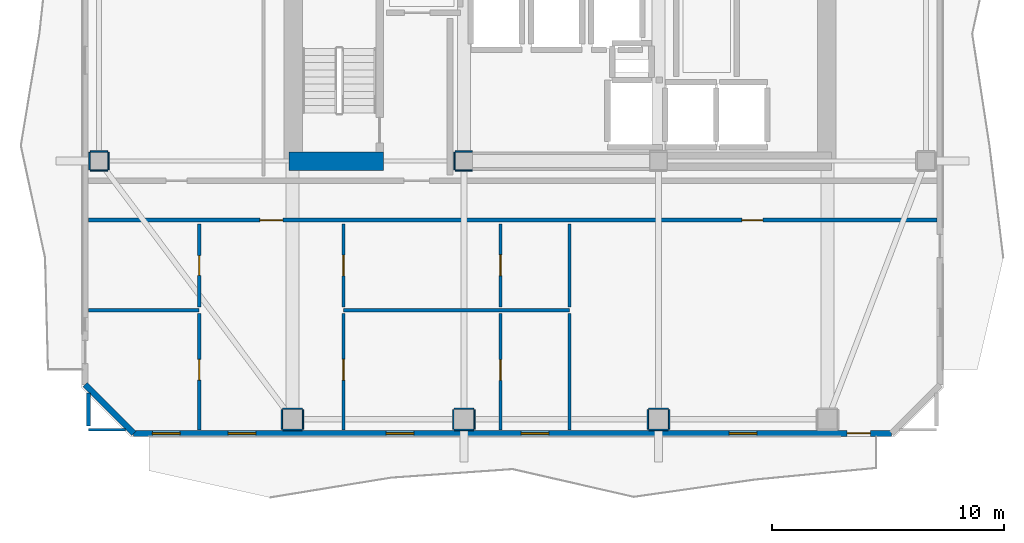
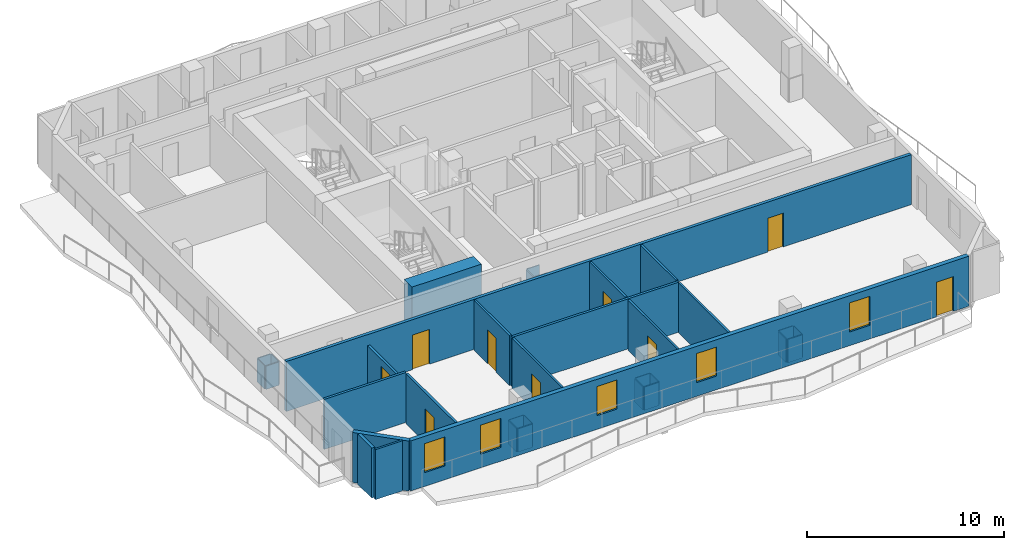
# One storey, part 2 of 10: 35 walls, 9 doors, 5 windows, 14 openings.
"""IFC4 building model written with IfcOpenShell, lengths in metres."""

from ifc_helpers import new_model, si_unit, direction, frame, frame_2d, origin, place, context, subcontext, project, spatial, rectangle, extrude, material, layer, layer_set, type_object, element, fill, save


model = new_model("IFC4")

# Units and contexts
model_context = context("Model", 3, precision=1e-05, world=origin(), true_north=direction((0.0, 1.0)))
body_context = subcontext(model_context, "Body", "Model", "MODEL_VIEW")
ifc_project = project(units=[si_unit("LENGTHUNIT", "METRE"), si_unit("AREAUNIT", "SQUARE_METRE"), si_unit("VOLUMEUNIT", "CUBIC_METRE"), si_unit("PLANEANGLEUNIT", "RADIAN"), si_unit("MASSUNIT", "GRAM", prefix="KILO")], contexts=[model_context])

# Site, building, storey
site_placement = place(None, origin())
site = spatial("IfcSite", under=ifc_project, at=site_placement, CompositionType="ELEMENT")
building_placement = place(site_placement, origin())
building = spatial("IfcBuilding", under=site, at=building_placement, Name="Solanera Arch Residences", CompositionType="ELEMENT")
storey_placement = place(building_placement, frame((0.0, 0.0, 203.43994140625)))
storey = spatial("IfcBuildingStorey", under=building, at=storey_placement, Name="L59", CompositionType="ELEMENT", Elevation=203.43994140625)

# Walls
ifc_material_1 = material(Name="Fire-Rated Gypsum Stud Partition", Category="gypsum")
ifc_layer_1 = layer(ifc_material_1, 0.06005859375)
ifc_layer_set_1 = layer_set([ifc_layer_1], Name="Fire-Rated Gypsum Stud Partition")
wall_type_1 = type_object("IfcWallType", Name="Column Acoustic Furring Wall 60", PredefinedType="PARTITIONING", material=ifc_layer_set_1)
for number, where, z_axis, x_axis, name in (
    (1, (20.425048828125, 21.593017578125, 0.0), (0.0, 0.0, 1.0), (1.0, 0.0, 0.0), "L59 Column Furring 1S"),
    (2, (20.425048828125, 22.406982421875, 0.0), (0.0, 0.0, 1.0), (1.0, 0.0, 0.0), "L59 Column Furring 1N"),
):
    element("IfcWall", number, at=place(storey_placement, frame(where, z_axis=z_axis, x_axis=x_axis)), inside=storey, type_object=wall_type_1, Name=name, PredefinedType="PARTITIONING", context=body_context, shape_type="SweptSolid", body=[
        extrude(rectangle(XDim=0.741943359375, YDim=0.06005859375, at=frame_2d((0.37109375, 0.0))), origin(), (0.0, 0.0, 1.0), 1.449951171875),
    ])
wall_1_placement = place(storey_placement, frame((20.39306640625, 21.625, 0.0), z_axis=(0.0, 0.0, 1.0), x_axis=(0.0, 1.0, 0.0)))
element("IfcWall", 3, at=wall_1_placement, inside=storey, type_object=wall_type_1, Name="L59 Column Furring 1W", PredefinedType="PARTITIONING", context=body_context, shape_type="SweptSolid", body=[
    extrude(rectangle(XDim=0.75, YDim=0.06005859375, at=frame_2d((0.375, 0.0))), origin(), (0.0, 0.0, 1.0), 1.449951171875),
])
for number, where, z_axis, x_axis, name in (
    (4, (12.97509765625, 10.39306640625, 0.0), (0.0, 0.0, 1.0), (1.0, 0.0, 0.0), "L59 Column Furring 9S"),
    (5, (12.97509765625, 11.306884765625, 0.0), (0.0, 0.0, 1.0), (1.0, 0.0, 0.0), "L59 Column Furring 9N"),
    (6, (12.943115234375, 10.425048828125, 0.0), (0.0, 0.0, 1.0), (0.0, 1.0, 0.0), "L59 Column Furring 9W"),
    (7, (13.85693359375, 10.425048828125, 0.0), (0.0, 0.0, 1.0), (0.0, 1.0, 0.0), "L59 Column Furring 9E"),
):
    element("IfcWall", number, at=place(storey_placement, frame(where, z_axis=z_axis, x_axis=x_axis)), inside=storey, type_object=wall_type_1, Name=name, PredefinedType="PARTITIONING", context=body_context, shape_type="SweptSolid", body=[
        extrude(rectangle(XDim=0.849853515625, YDim=0.06005859375, at=frame_2d((0.4248046875, 0.0))), origin(), (0.0, 0.0, 1.0), 1.449951171875),
    ])
for number, where, z_axis, x_axis, name in (
    (8, (20.375, 10.39306640625, 0.0), (0.0, 0.0, 1.0), (1.0, 0.0, 0.0), "L59 Column Furring 11S"),
    (9, (20.375, 11.306884765625, 0.0), (0.0, 0.0, 1.0), (1.0, 0.0, 0.0), "L59 Column Furring 11N"),
):
    element("IfcWall", number, at=place(storey_placement, frame(where, z_axis=z_axis, x_axis=x_axis)), inside=storey, type_object=wall_type_1, Name=name, PredefinedType="PARTITIONING", context=body_context, shape_type="SweptSolid", body=[
        extrude(rectangle(XDim=0.85009765625, YDim=0.06005859375, at=frame_2d((0.425048828125, 0.0))), origin(), (0.0, 0.0, 1.0), 1.449951171875),
    ])
for number, where, z_axis, x_axis, name in (
    (10, (20.343017578125, 10.425048828125, 0.0), (0.0, 0.0, 1.0), (0.0, 1.0, 0.0), "L59 Column Furring 11W"),
    (11, (21.257080078125, 10.425048828125, 0.0), (0.0, 0.0, 1.0), (0.0, 1.0, 0.0), "L59 Column Furring 11E"),
):
    element("IfcWall", number, at=place(storey_placement, frame(where, z_axis=z_axis, x_axis=x_axis)), inside=storey, type_object=wall_type_1, Name=name, PredefinedType="PARTITIONING", context=body_context, shape_type="SweptSolid", body=[
        extrude(rectangle(XDim=0.849853515625, YDim=0.06005859375, at=frame_2d((0.4248046875, 0.0))), origin(), (0.0, 0.0, 1.0), 1.449951171875),
    ])
for number, where, z_axis, x_axis, name in (
    (12, (28.77490234375, 10.39306640625, 0.0), (0.0, 0.0, 1.0), (1.0, 0.0, 0.0), "L59 Column Furring 13S"),
    (13, (28.77490234375, 11.306884765625, 0.0), (0.0, 0.0, 1.0), (1.0, 0.0, 0.0), "L59 Column Furring 13N"),
):
    element("IfcWall", number, at=place(storey_placement, frame(where, z_axis=z_axis, x_axis=x_axis)), inside=storey, type_object=wall_type_1, Name=name, PredefinedType="PARTITIONING", context=body_context, shape_type="SweptSolid", body=[
        extrude(rectangle(XDim=0.85009765625, YDim=0.06005859375, at=frame_2d((0.425048828125, 0.0))), origin(), (0.0, 0.0, 1.0), 1.449951171875),
    ])
for number, where, z_axis, x_axis, name in (
    (14, (28.742919921875, 10.425048828125, 0.0), (0.0, 0.0, 1.0), (0.0, 1.0, 0.0), "L59 Column Furring 13W"),
    (15, (29.656982421875, 10.425048828125, 0.0), (0.0, 0.0, 1.0), (0.0, 1.0, 0.0), "L59 Column Furring 13E"),
):
    element("IfcWall", number, at=place(storey_placement, frame(where, z_axis=z_axis, x_axis=x_axis)), inside=storey, type_object=wall_type_1, Name=name, PredefinedType="PARTITIONING", context=body_context, shape_type="SweptSolid", body=[
        extrude(rectangle(XDim=0.849853515625, YDim=0.06005859375, at=frame_2d((0.4248046875, 0.0))), origin(), (0.0, 0.0, 1.0), 1.449951171875),
    ])
for number, where, z_axis, x_axis, name in (
    (16, (4.675048828125, 21.593017578125, 0.0), (0.0, 0.0, 1.0), (1.0, 0.0, 0.0), "L59 Column Furring 17S"),
    (17, (4.675048828125, 22.406982421875, 0.0), (0.0, 0.0, 1.0), (1.0, 0.0, 0.0), "L59 Column Furring 17N"),
    (18, (4.64306640625, 21.625, 0.0), (0.0, 0.0, 1.0), (0.0, 1.0, 0.0), "L59 Column Furring 17W"),
    (19, (5.45703125, 21.625, 0.0), (0.0, 0.0, 1.0), (0.0, 1.0, 0.0), "L59 Column Furring 17E"),
):
    element("IfcWall", number, at=place(storey_placement, frame(where, z_axis=z_axis, x_axis=x_axis)), inside=storey, type_object=wall_type_1, Name=name, PredefinedType="PARTITIONING", context=body_context, shape_type="SweptSolid", body=[
        extrude(rectangle(XDim=0.75, YDim=0.06005859375, at=frame_2d((0.375, 0.0))), origin(), (0.0, 0.0, 1.0), 1.449951171875),
    ])
ifc_material_2 = material(Name="Concrete C40/50 (f'c = 45 MPa)", Category="concrete")
ifc_layer_2 = layer(ifc_material_2, 0.800048828125)
ifc_layer_set_2 = layer_set([ifc_layer_2], Name="Concrete C40/50 (f'c = 45 MPa)")
wall_type_2 = type_object("IfcWallType", Name="Core Shear Wall CW-800", PredefinedType="SHEAR", material=ifc_layer_set_2)
wall_2_placement = place(storey_placement, frame((13.239990234375, 22.0, 0.0), z_axis=(0.0, 0.0, 1.0), x_axis=(1.0, 0.0, 0.0)))
element("IfcWall", 20, at=wall_2_placement, inside=storey, type_object=wall_type_2, Name="L59 South-West Core Shear Wall", PredefinedType="SHEAR", context=body_context, shape_type="SweptSolid", body=[
    extrude(rectangle(XDim=4.080078125, YDim=0.800048828125, at=frame_2d((2.0400390625, 0.0))), origin(), (0.0, 0.0, 1.0), 3.320068359375),
])

# Wall, openings, doors
ifc_material_3 = material(Name="Autoclaved Aerated Concrete Blockwork", Category="masonry")
ifc_layer_3 = layer(ifc_material_3, 0.179931640625)
ifc_layer_set_3 = layer_set([ifc_layer_3], Name="Autoclaved Aerated Concrete Blockwork")
wall_type_3 = type_object("IfcWallType", Name="Corridor Fire Partition 180", PredefinedType="PARTITIONING", material=ifc_layer_set_3)
wall_3_placement = place(storey_placement, frame((4.5869140625, 19.449951171875, 0.0), z_axis=(0.0, 0.0, 1.0), x_axis=(1.0, 0.0, 0.0)))
wall_3 = element("IfcWall", 21, at=wall_3_placement, inside=storey, type_object=wall_type_3, Name="L59 Interior Partition H7", PredefinedType="PARTITIONING", context=body_context, shape_type="SweptSolid", body=[
    extrude(rectangle(XDim=36.6259765625, YDim=0.179931640625, at=frame_2d((18.31298828125, 0.0))), origin(), (0.0, 0.0, 1.0), 3.10009765625),
])
opening_1_placement = place(wall_3_placement, frame((7.402099609375, 0.0, 0.0)))
opening_1 = element("IfcOpeningElement", 22, at=opening_1_placement, cuts=wall_3, Name="Opening DI-01", PredefinedType="OPENING", context=body_context, shape_type="SweptSolid", body=[
    extrude(rectangle(XDim=1.0, YDim=2.14990234375, at=frame_2d((0.5, 1.074951171875))), frame((0.0, 0.10009765625, 0.0), z_axis=(0.0, -1.0, 0.0), x_axis=(1.0, 0.0, 0.0)), (0.0, 0.0, 1.0), 0.1999),
])
opening_2_placement = place(wall_3_placement, frame((28.218017578125, 0.0, 0.0)))
opening_2 = element("IfcOpeningElement", 23, at=opening_2_placement, cuts=wall_3, Name="Opening DI-02", PredefinedType="OPENING", context=body_context, shape_type="SweptSolid", body=[
    extrude(rectangle(XDim=0.89990234375, YDim=2.10009765625, at=frame_2d((0.449951171875, 1.050048828125))), frame((0.0, 0.10009765625, 0.0), z_axis=(0.0, -1.0, 0.0), x_axis=(1.0, 0.0, 0.0)), (0.0, 0.0, 1.0), 0.1999),
])
ifc_material_4 = material(Name="Fire-Rated Architectural Hardwood", Category="wood")
door_type_1 = type_object("IfcDoorType", Name="Suite Room Swing Door DI-02", OperationType="NOTDEFINED", PredefinedType="DOOR", material=ifc_material_4)
door_1_placement = place(opening_2_placement, origin())
door_1 = element("IfcDoor", 24, at=door_1_placement, inside=storey, type_object=door_type_1, Name="DR-L59-IN-021", OperationType="SINGLE_SWING_RIGHT", OverallHeight=2.10009765625, OverallWidth=0.89990234375, PredefinedType="DOOR", context=body_context, shape_type="SweptSolid", body=[
    extrude(rectangle(XDim=0.89990234375, YDim=2.10009765625, at=frame_2d((0.449951171875, 1.050048828125))), frame((0.0, 0.02490234375, 0.0), z_axis=(0.0, -1.0, 0.0), x_axis=(1.0, 0.0, 0.0)), (0.0, 0.0, 1.0), 0.050048828125),
])
fill(opening_2, door_1)
ifc_material_5 = material(Name="Fire-Rated Architectural Hardwood", Category="wood")
door_type_2 = type_object("IfcDoorType", Name="Unit Entrance Fire Door DI-01", OperationType="NOTDEFINED", PredefinedType="DOOR", material=ifc_material_5)
door_2_placement = place(opening_1_placement, origin())
door_2 = element("IfcDoor", 25, at=door_2_placement, inside=storey, type_object=door_type_2, Name="DR-L59-IN-014", OperationType="SINGLE_SWING_LEFT", OverallHeight=2.14990234375, OverallWidth=1.0, PredefinedType="DOOR", context=body_context, shape_type="SweptSolid", body=[
    extrude(rectangle(XDim=1.0, YDim=2.14990234375, at=frame_2d((0.5, 1.074951171875))), frame((0.0, 0.02490234375, 0.0), z_axis=(0.0, -1.0, 0.0), x_axis=(1.0, 0.0, 0.0)), (0.0, 0.0, 1.0), 0.050048828125),
])
fill(opening_1, door_2)

# Wall
wall_4_placement = place(storey_placement, frame((4.60009765625, 10.55810546875, 0.0), z_axis=(0.0, 0.0, 1.0), x_axis=(0.0, 1.0, 0.0)))
element("IfcWall", 26, at=wall_4_placement, inside=storey, type_object=wall_type_3, Name="L59 Interior Partition V8 1", PredefinedType="PARTITIONING", context=body_context, shape_type="SweptSolid", body=[
    extrude(rectangle(XDim=1.430908203125, YDim=0.179931640625, at=frame_2d((0.71533203125, 0.0))), origin(), (0.0, 0.0, 1.0), 3.10009765625),
])

# Wall, openings, door, windows
ifc_material_6 = material(Name="Precast Concrete C35/45", Category="concrete")
ifc_layer_4 = layer(ifc_material_6, 0.260009765625)
ifc_layer_set_4 = layer_set([ifc_layer_4], Name="Precast Concrete C35/45")
wall_type_4 = type_object("IfcWallType", Name="Exterior Wall Precast Masonry-Frame 260", PredefinedType="STANDARD", material=ifc_layer_set_4)
wall_5_placement = place(storey_placement, frame((39.2548828125, 10.2451171875, 0.0), z_axis=(0.0, 0.0, 1.0), x_axis=(-1.0, 0.0, 0.0)))
wall_5 = element("IfcWall", 27, at=wall_5_placement, inside=storey, type_object=wall_type_4, Name="L59 Tower Exterior Precast Masonry-Frame Wall S", PredefinedType="STANDARD", context=body_context, shape_type="SweptSolid", body=[
    extrude(rectangle(XDim=32.7099609375, YDim=0.260009765625, at=frame_2d((16.35498046875, 0.0))), origin(), (0.0, 0.0, 1.0), 3.10009765625),
])
opening_3_placement = place(wall_5_placement, frame((0.906982421875, 0.0, 0.0)))
opening_3 = element("IfcOpeningElement", 28, at=opening_3_placement, cuts=wall_5, Name="Opening DB-01", PredefinedType="OPENING", context=body_context, shape_type="SweptSolid", body=[
    extrude(rectangle(XDim=1.0, YDim=2.14990234375, at=frame_2d((0.5, 1.074951171875))), frame((0.0, 0.139892578125, 0.0), z_axis=(0.0, -1.0, 0.0), x_axis=(1.0, 0.0, 0.0)), (0.0, 0.0, 1.0), 0.28),
])
opening_4_placement = place(wall_5_placement, frame((27.429931640625, 0.0, 0.85009765625)))
opening_4 = element("IfcOpeningElement", 29, at=opening_4_placement, cuts=wall_5, Name="Opening W-01", PredefinedType="OPENING", context=body_context, shape_type="SweptSolid", body=[
    extrude(rectangle(XDim=1.199951171875, YDim=1.800048828125, at=frame_2d((0.60009765625, 0.89990234375))), frame((0.0, 0.139892578125, 0.0), z_axis=(0.0, -1.0, 0.0), x_axis=(1.0, 0.0, 0.0)), (0.0, 0.0, 1.0), 0.28),
])
opening_5_placement = place(wall_5_placement, frame((30.699951171875, 0.0, 0.85009765625)))
opening_5 = element("IfcOpeningElement", 30, at=opening_5_placement, cuts=wall_5, Name="Opening W-01", PredefinedType="OPENING", context=body_context, shape_type="SweptSolid", body=[
    extrude(rectangle(XDim=1.199951171875, YDim=1.800048828125, at=frame_2d((0.60009765625, 0.89990234375))), frame((0.0, 0.139892578125, 0.0), z_axis=(0.0, -1.0, 0.0), x_axis=(1.0, 0.0, 0.0)), (0.0, 0.0, 1.0), 0.28),
])
opening_6_placement = place(wall_5_placement, frame((20.615966796875, 0.0, 0.85009765625)))
opening_6 = element("IfcOpeningElement", 31, at=opening_6_placement, cuts=wall_5, Name="Opening W-01", PredefinedType="OPENING", context=body_context, shape_type="SweptSolid", body=[
    extrude(rectangle(XDim=1.199951171875, YDim=1.800048828125, at=frame_2d((0.60009765625, 0.89990234375))), frame((0.0, 0.139892578125, 0.0), z_axis=(0.0, -1.0, 0.0), x_axis=(1.0, 0.0, 0.0)), (0.0, 0.0, 1.0), 0.28),
])
opening_7_placement = place(wall_5_placement, frame((14.785888671875, 0.0, 0.85009765625)))
opening_7 = element("IfcOpeningElement", 32, at=opening_7_placement, cuts=wall_5, Name="Opening W-01", PredefinedType="OPENING", context=body_context, shape_type="SweptSolid", body=[
    extrude(rectangle(XDim=1.199951171875, YDim=1.800048828125, at=frame_2d((0.60009765625, 0.89990234375))), frame((0.0, 0.139892578125, 0.0), z_axis=(0.0, -1.0, 0.0), x_axis=(1.0, 0.0, 0.0)), (0.0, 0.0, 1.0), 0.28),
])
opening_8_placement = place(wall_5_placement, frame((5.804931640625, 0.0, 0.85009765625)))
opening_8 = element("IfcOpeningElement", 33, at=opening_8_placement, cuts=wall_5, Name="Opening W-01", PredefinedType="OPENING", context=body_context, shape_type="SweptSolid", body=[
    extrude(rectangle(XDim=1.199951171875, YDim=1.800048828125, at=frame_2d((0.60009765625, 0.89990234375))), frame((0.0, 0.139892578125, 0.0), z_axis=(0.0, -1.0, 0.0), x_axis=(1.0, 0.0, 0.0)), (0.0, 0.0, 1.0), 0.28),
])
ifc_material_7 = material(Name="Anodised Aluminium Alloy 6063-T6", Category="aluminium")
door_type_3 = type_object("IfcDoorType", Name="Glazed Balcony Swing Door DB-01", OperationType="NOTDEFINED", PredefinedType="DOOR", material=ifc_material_7)
door_3_placement = place(opening_3_placement, origin())
door_3 = element("IfcDoor", 34, at=door_3_placement, inside=storey, type_object=door_type_3, Name="DR-L59-OUT-01", OperationType="SINGLE_SWING_LEFT", OverallHeight=2.14990234375, OverallWidth=1.0, PredefinedType="DOOR", context=body_context, shape_type="SweptSolid", body=[
    extrude(rectangle(XDim=1.0, YDim=2.14990234375, at=frame_2d((0.5, 1.074951171875))), frame((0.0, 0.02490234375, 0.0), z_axis=(0.0, -1.0, 0.0), x_axis=(1.0, 0.0, 0.0)), (0.0, 0.0, 1.0), 0.050048828125),
])
fill(opening_3, door_3)
ifc_material_8 = material(Name="Double Glazed Low-E Laminated Glass", Category="glass")
window_type = type_object("IfcWindowType", Name="Punched Window W-01", PartitioningType="SINGLE_PANEL", PredefinedType="WINDOW", material=ifc_material_8)
window_1_placement = place(opening_4_placement, origin())
window_1 = element("IfcWindow", 35, at=window_1_placement, inside=storey, type_object=window_type, Name="L59 5901-LIV Punched Window", OverallHeight=1.800048828125, OverallWidth=1.199951171875, PartitioningType="SINGLE_PANEL", PredefinedType="WINDOW", context=body_context, shape_type="SweptSolid", body=[
    extrude(rectangle(XDim=1.199951171875, YDim=1.800048828125, at=frame_2d((0.60009765625, 0.89990234375))), frame((0.0, 0.030029296875, 0.0), z_axis=(0.0, -1.0, 0.0), x_axis=(1.0, 0.0, 0.0)), (0.0, 0.0, 1.0), 0.06005859375),
])
fill(opening_4, window_1)
window_2_placement = place(opening_5_placement, origin())
window_2 = element("IfcWindow", 36, at=window_2_placement, inside=storey, type_object=window_type, Name="L59 5901-BR1 Punched Window", OverallHeight=1.800048828125, OverallWidth=1.199951171875, PartitioningType="SINGLE_PANEL", PredefinedType="WINDOW", context=body_context, shape_type="SweptSolid", body=[
    extrude(rectangle(XDim=1.199951171875, YDim=1.800048828125, at=frame_2d((0.60009765625, 0.89990234375))), frame((0.0, 0.030029296875, 0.0), z_axis=(0.0, -1.0, 0.0), x_axis=(1.0, 0.0, 0.0)), (0.0, 0.0, 1.0), 0.06005859375),
])
fill(opening_5, window_2)
window_3_placement = place(opening_6_placement, origin())
window_3 = element("IfcWindow", 37, at=window_3_placement, inside=storey, type_object=window_type, Name="L59 5901-BR2 Punched Window", OverallHeight=1.800048828125, OverallWidth=1.199951171875, PartitioningType="SINGLE_PANEL", PredefinedType="WINDOW", context=body_context, shape_type="SweptSolid", body=[
    extrude(rectangle(XDim=1.199951171875, YDim=1.800048828125, at=frame_2d((0.60009765625, 0.89990234375))), frame((0.0, 0.030029296875, 0.0), z_axis=(0.0, -1.0, 0.0), x_axis=(1.0, 0.0, 0.0)), (0.0, 0.0, 1.0), 0.06005859375),
])
fill(opening_6, window_3)
window_4_placement = place(opening_7_placement, origin())
window_4 = element("IfcWindow", 38, at=window_4_placement, inside=storey, type_object=window_type, Name="L59 5901-BR3 Punched Window", OverallHeight=1.800048828125, OverallWidth=1.199951171875, PartitioningType="SINGLE_PANEL", PredefinedType="WINDOW", context=body_context, shape_type="SweptSolid", body=[
    extrude(rectangle(XDim=1.199951171875, YDim=1.800048828125, at=frame_2d((0.60009765625, 0.89990234375))), frame((0.0, 0.030029296875, 0.0), z_axis=(0.0, -1.0, 0.0), x_axis=(1.0, 0.0, 0.0)), (0.0, 0.0, 1.0), 0.06005859375),
])
fill(opening_7, window_4)
window_5_placement = place(opening_8_placement, origin())
window_5 = element("IfcWindow", 39, at=window_5_placement, inside=storey, type_object=window_type, Name="L59 AMN-LNG Punched Window", OverallHeight=1.800048828125, OverallWidth=1.199951171875, PartitioningType="SINGLE_PANEL", PredefinedType="WINDOW", context=body_context, shape_type="SweptSolid", body=[
    extrude(rectangle(XDim=1.199951171875, YDim=1.800048828125, at=frame_2d((0.60009765625, 0.89990234375))), frame((0.0, 0.030029296875, 0.0), z_axis=(0.0, -1.0, 0.0), x_axis=(1.0, 0.0, 0.0)), (0.0, 0.0, 1.0), 0.06005859375),
])
fill(opening_8, window_5)

# Walls
wall_6_placement = place(storey_placement, frame((6.544921875, 10.2451171875, 0.0), z_axis=(0.0, 0.0, 1.0), x_axis=(-0.707106781187, 0.707106781187, 0.0)))
element("IfcWall", 40, at=wall_6_placement, inside=storey, type_object=wall_type_4, Name="L59 Tower Exterior Precast Masonry-Frame Wall CH7", PredefinedType="STANDARD", context=body_context, shape_type="SweptSolid", body=[
    extrude(rectangle(XDim=2.9697265625, YDim=0.260009765625, at=frame_2d((1.48486328125, 0.0))), origin(), (0.0, 0.0, 1.0), 3.10009765625),
])
ifc_material_9 = material(Name="Fire-Rated Gypsum Stud Partition", Category="gypsum")
ifc_layer_5 = layer(ifc_material_9, 0.1201171875)
ifc_layer_set_5 = layer_set([ifc_layer_5], Name="Fire-Rated Gypsum Stud Partition")
wall_type_5 = type_object("IfcWallType", Name="Unit Drywall Partition 120", PredefinedType="PARTITIONING", material=ifc_layer_set_5)
wall_7_placement = place(storey_placement, frame((4.60009765625, 10.39990234375, 0.0), z_axis=(0.0, 0.0, 1.0), x_axis=(1.0, 0.0, 0.0)))
element("IfcWall", 41, at=wall_7_placement, inside=storey, type_object=wall_type_5, Name="L59 Interior Partition H17 1", PredefinedType="PARTITIONING", context=body_context, shape_type="SweptSolid", body=[
    extrude(rectangle(XDim=1.5888671875, YDim=0.1201171875, at=frame_2d((0.79443359375, 0.0))), origin(), (0.0, 0.0, 1.0), 3.10009765625),
])

# Wall, opening, door
wall_8_placement = place(storey_placement, frame((15.60302734375, 10.386962890625, 0.0), z_axis=(0.0, 0.0, 1.0), x_axis=(0.0, 1.0, 0.0)))
wall_8 = element("IfcWall", 42, at=wall_8_placement, inside=storey, type_object=wall_type_5, Name="L59 Interior Partition V22 1", PredefinedType="PARTITIONING", context=body_context, shape_type="SweptSolid", body=[
    extrude(rectangle(XDim=5.033935546875, YDim=0.1201171875, at=frame_2d((2.51708984375, 0.0))), origin(), (0.0, 0.0, 1.0), 3.10009765625),
])
opening_9_placement = place(wall_8_placement, frame((2.155029296875, 0.0, 0.0)))
opening_9 = element("IfcOpeningElement", 43, at=opening_9_placement, cuts=wall_8, Name="Opening DI-03", PredefinedType="OPENING", context=body_context, shape_type="SweptSolid", body=[
    extrude(rectangle(XDim=0.89990234375, YDim=2.10009765625, at=frame_2d((0.449951171875, 1.050048828125))), frame((0.0, 0.070068359375, 0.0), z_axis=(0.0, -1.0, 0.0), x_axis=(1.0, 0.0, 0.0)), (0.0, 0.0, 1.0), 0.1401),
])
ifc_material_10 = material(Name="Fire-Rated Architectural Hardwood", Category="wood")
door_type_4 = type_object("IfcDoorType", Name="Bedroom Swing Door DI-03", OperationType="NOTDEFINED", PredefinedType="DOOR", material=ifc_material_10)
door_4_placement = place(opening_9_placement, origin())
door_4 = element("IfcDoor", 44, at=door_4_placement, inside=storey, type_object=door_type_4, Name="DR-L59-IN-019", OperationType="SINGLE_SWING_RIGHT", OverallHeight=2.10009765625, OverallWidth=0.89990234375, PredefinedType="DOOR", context=body_context, shape_type="SweptSolid", body=[
    extrude(rectangle(XDim=0.89990234375, YDim=2.10009765625, at=frame_2d((0.449951171875, 1.050048828125))), frame((0.0, 0.02490234375, 0.0), z_axis=(0.0, -1.0, 0.0), x_axis=(1.0, 0.0, 0.0)), (0.0, 0.0, 1.0), 0.050048828125),
])
fill(opening_9, door_4)

wall_9_placement = place(storey_placement, frame((15.60302734375, 15.697021484375, 0.0), z_axis=(0.0, 0.0, 1.0), x_axis=(0.0, 1.0, 0.0)))
wall_9 = element("IfcWall", 45, at=wall_9_placement, inside=storey, type_object=wall_type_5, Name="L59 Interior Partition V22 2", PredefinedType="PARTITIONING", context=body_context, shape_type="SweptSolid", body=[
    extrude(rectangle(XDim=3.594970703125, YDim=0.1201171875, at=frame_2d((1.79736328125, 0.0))), origin(), (0.0, 0.0, 1.0), 3.10009765625),
])
opening_10_placement = place(wall_9_placement, frame((1.344970703125, 0.0, 0.0)))
opening_10 = element("IfcOpeningElement", 46, at=opening_10_placement, cuts=wall_9, Name="Opening DI-02", PredefinedType="OPENING", context=body_context, shape_type="SweptSolid", body=[
    extrude(rectangle(XDim=0.89990234375, YDim=2.10009765625, at=frame_2d((0.449951171875, 1.050048828125))), frame((0.0, 0.070068359375, 0.0), z_axis=(0.0, -1.0, 0.0), x_axis=(1.0, 0.0, 0.0)), (0.0, 0.0, 1.0), 0.1401),
])
door_5_placement = place(opening_10_placement, origin())
door_5 = element("IfcDoor", 47, at=door_5_placement, inside=storey, type_object=door_type_1, Name="DR-L59-IN-017", OperationType="SINGLE_SWING_RIGHT", OverallHeight=2.10009765625, OverallWidth=0.89990234375, PredefinedType="DOOR", context=body_context, shape_type="SweptSolid", body=[
    extrude(rectangle(XDim=0.89990234375, YDim=2.10009765625, at=frame_2d((0.449951171875, 1.050048828125))), frame((0.0, 0.02490234375, 0.0), z_axis=(0.0, -1.0, 0.0), x_axis=(1.0, 0.0, 0.0)), (0.0, 0.0, 1.0), 0.050048828125),
])
fill(opening_10, door_5)

wall_10_placement = place(storey_placement, frame((22.3798828125, 10.386962890625, 0.0), z_axis=(0.0, 0.0, 1.0), x_axis=(0.0, 1.0, 0.0)))
wall_10 = element("IfcWall", 48, at=wall_10_placement, inside=storey, type_object=wall_type_5, Name="L59 Interior Partition V24 1", PredefinedType="PARTITIONING", context=body_context, shape_type="SweptSolid", body=[
    extrude(rectangle(XDim=5.033935546875, YDim=0.1201171875, at=frame_2d((2.51708984375, 0.0))), origin(), (0.0, 0.0, 1.0), 3.10009765625),
])
opening_11_placement = place(wall_10_placement, frame((2.14208984375, 0.0, 0.0)))
opening_11 = element("IfcOpeningElement", 49, at=opening_11_placement, cuts=wall_10, Name="Opening DI-03", PredefinedType="OPENING", context=body_context, shape_type="SweptSolid", body=[
    extrude(rectangle(XDim=0.89990234375, YDim=2.10009765625, at=frame_2d((0.449951171875, 1.050048828125))), frame((0.0, 0.070068359375, 0.0), z_axis=(0.0, -1.0, 0.0), x_axis=(1.0, 0.0, 0.0)), (0.0, 0.0, 1.0), 0.1401),
])
door_6_placement = place(opening_11_placement, origin())
door_6 = element("IfcDoor", 50, at=door_6_placement, inside=storey, type_object=door_type_4, Name="DR-L59-IN-020", OperationType="SINGLE_SWING_LEFT", OverallHeight=2.10009765625, OverallWidth=0.89990234375, PredefinedType="DOOR", context=body_context, shape_type="SweptSolid", body=[
    extrude(rectangle(XDim=0.89990234375, YDim=2.10009765625, at=frame_2d((0.449951171875, 1.050048828125))), frame((0.0, 0.02490234375, 0.0), z_axis=(0.0, -1.0, 0.0), x_axis=(1.0, 0.0, 0.0)), (0.0, 0.0, 1.0), 0.050048828125),
])
fill(opening_11, door_6)

wall_11_placement = place(storey_placement, frame((22.3798828125, 15.697021484375, 0.0), z_axis=(0.0, 0.0, 1.0), x_axis=(0.0, 1.0, 0.0)))
wall_11 = element("IfcWall", 51, at=wall_11_placement, inside=storey, type_object=wall_type_5, Name="L59 Interior Partition V24 2", PredefinedType="PARTITIONING", context=body_context, shape_type="SweptSolid", body=[
    extrude(rectangle(XDim=3.594970703125, YDim=0.1201171875, at=frame_2d((1.79736328125, 0.0))), origin(), (0.0, 0.0, 1.0), 3.10009765625),
])
opening_12_placement = place(wall_11_placement, frame((1.35791015625, 0.0, 0.0)))
opening_12 = element("IfcOpeningElement", 52, at=opening_12_placement, cuts=wall_11, Name="Opening DI-02", PredefinedType="OPENING", context=body_context, shape_type="SweptSolid", body=[
    extrude(rectangle(XDim=0.89990234375, YDim=2.10009765625, at=frame_2d((0.449951171875, 1.050048828125))), frame((0.0, 0.070068359375, 0.0), z_axis=(0.0, -1.0, 0.0), x_axis=(1.0, 0.0, 0.0)), (0.0, 0.0, 1.0), 0.1401),
])
door_7_placement = place(opening_12_placement, origin())
door_7 = element("IfcDoor", 53, at=door_7_placement, inside=storey, type_object=door_type_1, Name="DR-L59-IN-018", OperationType="SINGLE_SWING_LEFT", OverallHeight=2.10009765625, OverallWidth=0.89990234375, PredefinedType="DOOR", context=body_context, shape_type="SweptSolid", body=[
    extrude(rectangle(XDim=0.89990234375, YDim=2.10009765625, at=frame_2d((0.449951171875, 1.050048828125))), frame((0.0, 0.02490234375, 0.0), z_axis=(0.0, -1.0, 0.0), x_axis=(1.0, 0.0, 0.0)), (0.0, 0.0, 1.0), 0.050048828125),
])
fill(opening_12, door_7)

# Walls
wall_12_placement = place(storey_placement, frame((25.35888671875, 10.386962890625, 0.0), z_axis=(0.0, 0.0, 1.0), x_axis=(0.0, 1.0, 0.0)))
element("IfcWall", 54, at=wall_12_placement, inside=storey, type_object=wall_type_5, Name="L59 Interior Partition V25 1", PredefinedType="PARTITIONING", context=body_context, shape_type="SweptSolid", body=[
    extrude(rectangle(XDim=5.033935546875, YDim=0.1201171875, at=frame_2d((2.51708984375, 0.0))), origin(), (0.0, 0.0, 1.0), 3.10009765625),
])
wall_13_placement = place(storey_placement, frame((25.35888671875, 15.697021484375, 0.0), z_axis=(0.0, 0.0, 1.0), x_axis=(0.0, 1.0, 0.0)))
element("IfcWall", 55, at=wall_13_placement, inside=storey, type_object=wall_type_5, Name="L59 Interior Partition V25 2", PredefinedType="PARTITIONING", context=body_context, shape_type="SweptSolid", body=[
    extrude(rectangle(XDim=3.594970703125, YDim=0.1201171875, at=frame_2d((1.79736328125, 0.0))), origin(), (0.0, 0.0, 1.0), 3.10009765625),
])
ifc_material_11 = material(Name="Autoclaved Aerated Concrete Blockwork", Category="masonry")
ifc_layer_6 = layer(ifc_material_11, 0.139892578125)
ifc_layer_set_6 = layer_set([ifc_layer_6], Name="Autoclaved Aerated Concrete Blockwork")
wall_type_6 = type_object("IfcWallType", Name="Wet-Room Partition 140", PredefinedType="PARTITIONING", material=ifc_layer_set_6)
wall_14_placement = place(storey_placement, frame((4.5869140625, 15.55908203125, 0.0), z_axis=(0.0, 0.0, 1.0), x_axis=(1.0, 0.0, 0.0)))
element("IfcWall", 56, at=wall_14_placement, inside=storey, type_object=wall_type_6, Name="L59 Interior Partition H13", PredefinedType="PARTITIONING", context=body_context, shape_type="SweptSolid", body=[
    extrude(rectangle(XDim=4.7880859375, YDim=0.139892578125, at=frame_2d((2.39404296875, 0.0))), origin(), (0.0, 0.0, 1.0), 3.10009765625),
])
wall_15_placement = place(storey_placement, frame((15.60302734375, 15.55908203125, 0.0), z_axis=(0.0, 0.0, 1.0), x_axis=(1.0, 0.0, 0.0)))
element("IfcWall", 57, at=wall_15_placement, inside=storey, type_object=wall_type_6, Name="L59 Interior Partition H14", PredefinedType="PARTITIONING", context=body_context, shape_type="SweptSolid", body=[
    extrude(rectangle(XDim=9.755859375, YDim=0.139892578125, at=frame_2d((4.8779296875, 0.0))), origin(), (0.0, 0.0, 1.0), 3.10009765625),
])

# Wall, opening, door
wall_16_placement = place(storey_placement, frame((9.375, 10.386962890625, 0.0), z_axis=(0.0, 0.0, 1.0), x_axis=(0.0, 1.0, 0.0)))
wall_16 = element("IfcWall", 58, at=wall_16_placement, inside=storey, type_object=wall_type_6, Name="L59 Interior Partition V14 1", PredefinedType="PARTITIONING", context=body_context, shape_type="SweptSolid", body=[
    extrude(rectangle(XDim=5.02392578125, YDim=0.139892578125, at=frame_2d((2.511962890625, 0.0))), origin(), (0.0, 0.0, 1.0), 3.10009765625),
])
opening_13_placement = place(wall_16_placement, frame((2.155029296875, 0.0, 0.0)))
opening_13 = element("IfcOpeningElement", 59, at=opening_13_placement, cuts=wall_16, Name="Opening DI-03", PredefinedType="OPENING", context=body_context, shape_type="SweptSolid", body=[
    extrude(rectangle(XDim=0.89990234375, YDim=2.10009765625, at=frame_2d((0.449951171875, 1.050048828125))), frame((0.0, 0.079833984375, 0.0), z_axis=(0.0, -1.0, 0.0), x_axis=(1.0, 0.0, 0.0)), (0.0, 0.0, 1.0), 0.1599),
])
door_8_placement = place(opening_13_placement, origin())
door_8 = element("IfcDoor", 60, at=door_8_placement, inside=storey, type_object=door_type_4, Name="DR-L59-IN-016", OperationType="SINGLE_SWING_LEFT", OverallHeight=2.10009765625, OverallWidth=0.89990234375, PredefinedType="DOOR", context=body_context, shape_type="SweptSolid", body=[
    extrude(rectangle(XDim=0.89990234375, YDim=2.10009765625, at=frame_2d((0.449951171875, 1.050048828125))), frame((0.0, 0.02490234375, 0.0), z_axis=(0.0, -1.0, 0.0), x_axis=(1.0, 0.0, 0.0)), (0.0, 0.0, 1.0), 0.050048828125),
])
fill(opening_13, door_8)

wall_17_placement = place(storey_placement, frame((9.375, 15.70703125, 0.0), z_axis=(0.0, 0.0, 1.0), x_axis=(0.0, 1.0, 0.0)))
wall_17 = element("IfcWall", 61, at=wall_17_placement, inside=storey, type_object=wall_type_6, Name="L59 Interior Partition V14 2", PredefinedType="PARTITIONING", context=body_context, shape_type="SweptSolid", body=[
    extrude(rectangle(XDim=3.574951171875, YDim=0.139892578125, at=frame_2d((1.78759765625, 0.0))), origin(), (0.0, 0.0, 1.0), 2.47705078125),
])
opening_14_placement = place(wall_17_placement, frame((1.35498046875, 0.0, 0.0)))
opening_14 = element("IfcOpeningElement", 62, at=opening_14_placement, cuts=wall_17, Name="Opening DI-05", PredefinedType="OPENING", context=body_context, shape_type="SweptSolid", body=[
    extrude(rectangle(XDim=0.860107421875, YDim=2.02001953125, at=frame_2d((0.43017578125, 1.010009765625))), frame((0.0, 0.079833984375, 0.0), z_axis=(0.0, -1.0, 0.0), x_axis=(1.0, 0.0, 0.0)), (0.0, 0.0, 1.0), 0.1599),
])
ifc_material_12 = material(Name="Fire-Rated Architectural Hardwood", Category="wood")
door_type_5 = type_object("IfcDoorType", Name="Bathroom Swing Door DI-05", OperationType="NOTDEFINED", PredefinedType="DOOR", material=ifc_material_12)
door_9_placement = place(opening_14_placement, origin())
door_9 = element("IfcDoor", 63, at=door_9_placement, inside=storey, type_object=door_type_5, Name="DR-L59-IN-015", OperationType="SINGLE_SWING_RIGHT", OverallHeight=2.02001953125, OverallWidth=0.860107421875, PredefinedType="DOOR", context=body_context, shape_type="SweptSolid", body=[
    extrude(rectangle(XDim=0.860107421875, YDim=2.02001953125, at=frame_2d((0.43017578125, 1.010009765625))), frame((0.0, 0.02490234375, 0.0), z_axis=(0.0, -1.0, 0.0), x_axis=(1.0, 0.0, 0.0)), (0.0, 0.0, 1.0), 0.050048828125),
])
fill(opening_14, door_9)

save(model, "model.ifc")
